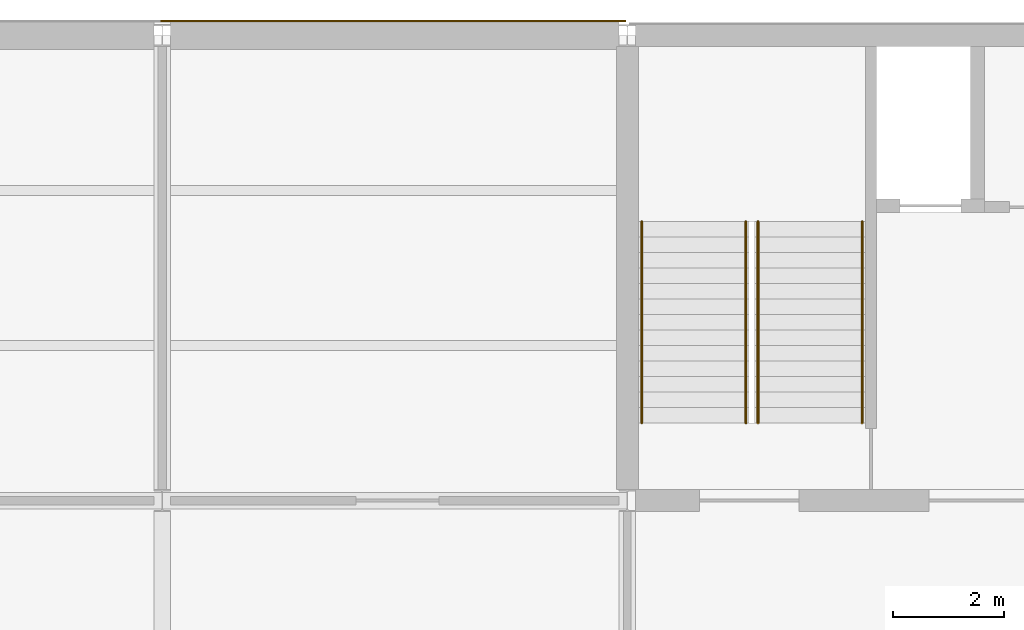
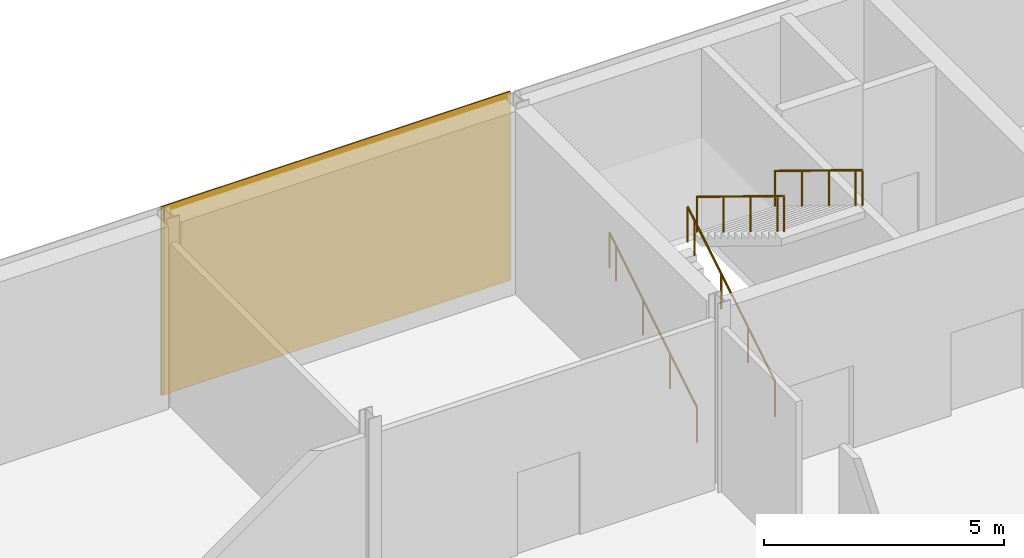
# One storey, part 41 of 57: 4 railings, 2 coverings.
"""IFC4 building model written with IfcOpenShell, lengths in metres."""

from ifc_helpers import new_model, si_unit, direction, frame, origin, origin_2d, place, context, subcontext, project, spatial, rectangle, circle, extrude, material, layer, layer_set, type_object, element, save


model = new_model("IFC4")

# Units and contexts
model_context = context("Model", 3, precision=1e-05, world=origin(), true_north=direction((0.0, 1.0)))
body_context = subcontext(model_context, "Body", "Model", "MODEL_VIEW")
ifc_project = project(units=[si_unit("LENGTHUNIT", "METRE"), si_unit("AREAUNIT", "SQUARE_METRE"), si_unit("VOLUMEUNIT", "CUBIC_METRE"), si_unit("PLANEANGLEUNIT", "RADIAN"), si_unit("MASSUNIT", "GRAM", prefix="KILO")], contexts=[model_context])

# Site, building, storey
site_placement = place(None, origin())
site = spatial("IfcSite", under=ifc_project, at=site_placement, CompositionType="ELEMENT")
building_placement = place(site_placement, origin())
building = spatial("IfcBuilding", under=site, at=building_placement, Name="Galleria Vessillo Department Store", CompositionType="ELEMENT")
storey_placement = place(building_placement, frame((0.0, 0.0, 21.0)))
storey = spatial("IfcBuildingStorey", under=building, at=storey_placement, Name="L04", CompositionType="ELEMENT", Elevation=21.0)

# Coverings
ifc_material_1 = material(Name="Lime plaster (intonaco) ochre")
ifc_layer = layer(ifc_material_1, 0.030029296875)
ifc_layer_set = layer_set([ifc_layer], Name="Lime plaster (intonaco) ochre")
covering_type = type_object("IfcCoveringType", Name="Lime plaster render 30 mm", PredefinedType="CLADDING", material=ifc_layer_set)
covering_1_placement = place(storey_placement, frame((29.39990234375, 63.264892578125, 0.0), z_axis=(0.0, 0.0, 1.0), x_axis=(1.0, 0.0, 0.0)))
element("IfcCovering", 1, at=covering_1_placement, inside=storey, type_object=covering_type, Name="Wall cladding S-PN-L04-03", PredefinedType="CLADDING", context=body_context, shape_type="SweptSolid", body=[
    extrude(rectangle(XDim=8.34033203125, YDim=0.030029296875, at=origin_2d()), origin(), (0.0, 0.0, 1.0), 4.800048828125),
])
covering_2_placement = place(storey_placement, frame((25.199951171875, 63.264892578125, 0.0), z_axis=(0.0, 0.0, 1.0), x_axis=(1.0, 0.0, 0.0)))
element("IfcCovering", 2, at=covering_2_placement, inside=storey, type_object=covering_type, Name="Joint block Wall cladding S-PN-L04-02", PredefinedType="CLADDING", context=body_context, shape_type="SweptSolid", body=[
    extrude(rectangle(XDim=0.059814453125, YDim=0.030029296875, at=origin_2d()), origin(), (0.0, 0.0, 1.0), 4.800048828125),
])

# Railings
ifc_material_2 = material(Name="Stainless steel tube", Category="steel")
railing_type = type_object("IfcRailingType", Name="Stair handrail steel tube 48 mm", PredefinedType="HANDRAIL", material=ifc_material_2)
for number, where, name in (
    (3, (33.860107421875, 56.0, 0.17138671875), "Handrail ST4 L04 flight 1A"),
    (4, (35.739990234375, 56.0, 0.17138671875), "Handrail ST4 L04 flight 1B"),
):
    element("IfcRailing", number, at=place(storey_placement, frame(where)), inside=storey, type_object=railing_type, Name=name, PredefinedType="HANDRAIL", context=body_context, shape_type="SweptSolid", body=[
        extrude(circle(Radius=0.02392578125, at=origin_2d()), frame((0.0, 0.0, 0.89599609375), z_axis=(0.0, 0.852849614702, 0.52215661894), x_axis=(-1.0, 0.0, 0.0)), (0.0, 0.0, 1.0), 1.3134765625),
        extrude(circle(Radius=0.02392578125, at=origin_2d()), frame((0.0, 1.1201171875, 1.58154296875), z_axis=(0.0, 0.852798921012, 0.522239409008), x_axis=(-1.0, 0.0, 0.0)), (0.0, 0.0, 1.0), 1.313232421875),
        extrude(circle(Radius=0.02392578125, at=origin_2d()), frame((0.0, 2.239990234375, 2.267578125), z_axis=(0.0, 0.852932391421, 0.522021393877), x_axis=(-1.0, 0.0, 0.0)), (0.0, 0.0, 1.0), 1.313232421875),
        extrude(circle(Radius=0.02392578125, at=origin_2d()), frame((0.0, 3.360107421875, 2.953125), z_axis=(0.0, 0.852729557261, 0.522352660731), x_axis=(-1.0, 0.0, 0.0)), (0.0, 0.0, 1.0), 0.328125),
        extrude(circle(Radius=0.02099609375, at=origin_2d()), origin(), (0.0, 0.0, 1.0), 0.871826171875),
        extrude(circle(Radius=0.02099609375, at=origin_2d()), frame((0.0, 1.1201171875, 0.685791015625)), (0.0, 0.0, 1.0), 0.871826171875),
        extrude(circle(Radius=0.02099609375, at=origin_2d()), frame((0.0, 2.239990234375, 1.37158203125)), (0.0, 0.0, 1.0), 0.871826171875),
        extrude(circle(Radius=0.02099609375, at=origin_2d()), frame((0.0, 3.360107421875, 2.05712890625)), (0.0, 0.0, 1.0), 0.871826171875),
        extrude(circle(Radius=0.02099609375, at=origin_2d()), frame((0.0, 3.639892578125, 2.228515625)), (0.0, 0.0, 1.0), 0.871826171875),
    ])
for number, where, name in (
    (5, (37.83984375, 59.639892578125, 2.5712890625), "Handrail ST4 L04 flight 2A"),
    (6, (35.9599609375, 59.639892578125, 2.5712890625), "Handrail ST4 L04 flight 2B"),
):
    element("IfcRailing", number, at=place(storey_placement, frame(where)), inside=storey, type_object=railing_type, Name=name, PredefinedType="HANDRAIL", context=body_context, shape_type="SweptSolid", body=[
        extrude(circle(Radius=0.02392578125, at=origin_2d()), frame((0.0, 0.0, 0.89599609375), z_axis=(0.0, -0.852849614702, 0.52215661894), x_axis=(1.0, 0.0, 0.0)), (0.0, 0.0, 1.0), 1.3134765625),
        extrude(circle(Radius=0.02392578125, at=origin_2d()), frame((0.0, -1.1201171875, 1.58154296875), z_axis=(0.0, -0.852798921012, 0.522239409008), x_axis=(1.0, 0.0, 0.0)), (0.0, 0.0, 1.0), 1.313232421875),
        extrude(circle(Radius=0.02392578125, at=origin_2d()), frame((0.0, -2.239990234375, 2.267578125), z_axis=(0.0, -0.852932391421, 0.522021393877), x_axis=(1.0, 0.0, 0.0)), (0.0, 0.0, 1.0), 1.313232421875),
        extrude(circle(Radius=0.02392578125, at=origin_2d()), frame((0.0, -3.360107421875, 2.953125), z_axis=(0.0, -0.852729557261, 0.522352660731), x_axis=(1.0, 0.0, 0.0)), (0.0, 0.0, 1.0), 0.328125),
        extrude(circle(Radius=0.02099609375, at=origin_2d()), origin(), (0.0, 0.0, 1.0), 0.871826171875),
        extrude(circle(Radius=0.02099609375, at=origin_2d()), frame((0.0, -1.1201171875, 0.685791015625)), (0.0, 0.0, 1.0), 0.871826171875),
        extrude(circle(Radius=0.02099609375, at=origin_2d()), frame((0.0, -2.239990234375, 1.37158203125)), (0.0, 0.0, 1.0), 0.871826171875),
        extrude(circle(Radius=0.02099609375, at=origin_2d()), frame((0.0, -3.360107421875, 2.05712890625)), (0.0, 0.0, 1.0), 0.871826171875),
        extrude(circle(Radius=0.02099609375, at=origin_2d()), frame((0.0, -3.639892578125, 2.228515625)), (0.0, 0.0, 1.0), 0.871826171875),
    ])

save(model, "model.ifc")
